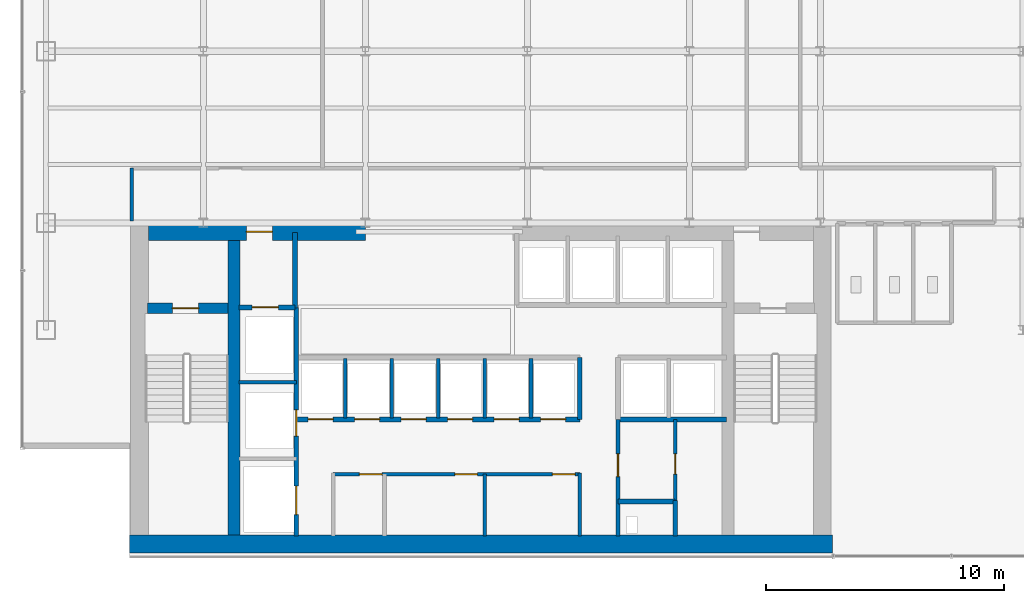
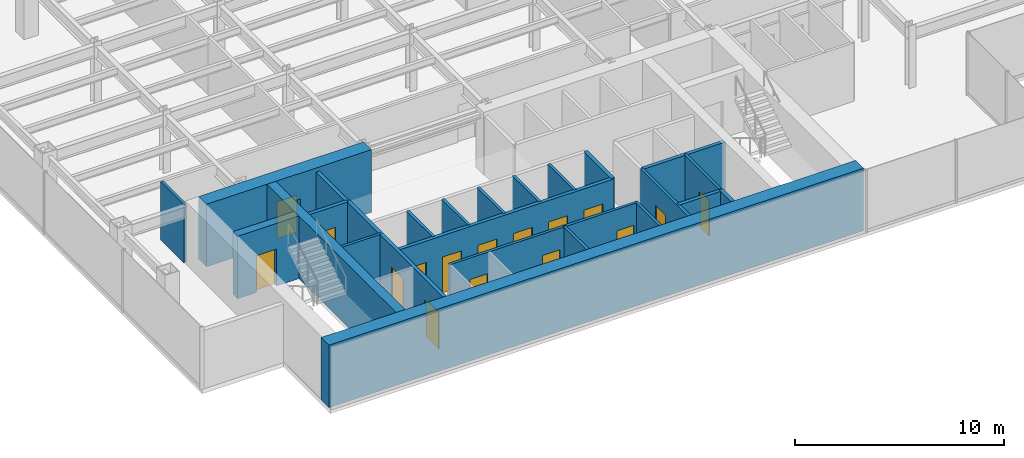
# One storey, part 21 of 26: 24 walls, 16 doors, 16 openings.
"""IFC4 building model written with IfcOpenShell, lengths in metres."""

import ifcopenshell
import ifcopenshell.guid

model = None  # the IFC model being written
_history = None  # IfcOwnerHistory: only IFC2X3 demands one
_inside = {}  # id of a spatial element -> (the spatial element, [elements in it])
_under = {}  # id of a project, library or spatial element -> (it, [spatial elements below it])
_declared = {}  # id of a project -> (the project, [libraries it declares])
_typed = {}  # id of a type object -> (the type object, [elements of that type])
_made_of = {}  # id of a material, layer set ... -> (it, [elements and type objects made of it])


def new_model(schema):
    """Start an empty IFC model of exactly this schema.

    Asked for "IFC4X3", IfcOpenShell would pick the latest addendum, in which some entities
    have other attributes; the version numbers below select the first issue.
    IFC2X3 requires an IfcOwnerHistory on every rooted entity: one is made here for all.
    """
    global model, _history
    if schema == "IFC4X3":
        model = ifcopenshell.file(schema_version=(4, 3, 0, 0))
    else:
        model = ifcopenshell.file(schema=schema)
    _inside.clear()
    _under.clear()
    _declared.clear()
    _typed.clear()
    _made_of.clear()
    _history = None
    if model.schema == "IFC2X3":
        org = make("IfcOrganization", Name="unknown")
        user = make(
            "IfcPersonAndOrganization",
            ThePerson=make("IfcPerson", FamilyName="unknown"),
            TheOrganization=org,
        )
        app = make(
            "IfcApplication",
            ApplicationDeveloper=org,
            Version="unknown",
            ApplicationFullName="unknown",
            ApplicationIdentifier="unknown",
        )
        _history = make(
            "IfcOwnerHistory",
            OwningUser=user,
            OwningApplication=app,
            ChangeAction="ADDED",
            CreationDate=0,
        )
    return model


def make(cls, **values):
    """One entity of the class cls with the attributes given. An attribute that is None is left unset."""
    return model.create_entity(
        cls, **{name: value for name, value in values.items() if value is not None}
    )


def rooted(cls, **values):
    """An entity with a GlobalId (a new one), such as an element, a storey or a relation."""
    return make(cls, GlobalId=ifcopenshell.guid.new(), OwnerHistory=_history, **values)


def si_unit(unit_type, name, prefix=None):
    """IfcSIUnit, for example si_unit("LENGTHUNIT", "METRE", prefix="MILLI")."""
    return make("IfcSIUnit", UnitType=unit_type, Prefix=prefix, Name=name)


def derived_unit(unit_type, elements):
    """IfcDerivedUnit: a product of units, each with its exponent."""
    return make(
        "IfcDerivedUnit",
        Elements=[
            make("IfcDerivedUnitElement", Unit=unit, Exponent=power)
            for unit, power in elements
        ],
        UnitType=unit_type,
    )


def assignment(units):
    """IfcUnitAssignment: the units of a project."""
    return None if units is None else make("IfcUnitAssignment", Units=units)


def point(xyz):
    """IfcCartesianPoint."""
    return None if xyz is None else make("IfcCartesianPoint", Coordinates=xyz)


def direction(xyz):
    """IfcDirection."""
    return None if xyz is None else make("IfcDirection", DirectionRatios=xyz)


def frame(location, z_axis=None, x_axis=None):
    """IfcAxis2Placement3D, a coordinate frame: its origin and axes. An axis left out is left unset."""
    return make(
        "IfcAxis2Placement3D",
        Location=point(location),
        Axis=direction(z_axis),
        RefDirection=direction(x_axis),
    )


def frame_2d(location, x_axis=None):
    """IfcAxis2Placement2D, a coordinate frame in the plane: its origin and x axis."""
    return make(
        "IfcAxis2Placement2D", Location=point(location), RefDirection=direction(x_axis)
    )


def origin():
    """The frame at (0, 0, 0) with its axes left unset."""
    return frame((0.0, 0.0, 0.0))


def place(relative_to, where):
    """IfcLocalPlacement: puts the frame where relative to a parent placement (None: the world)."""
    return make(
        "IfcLocalPlacement", PlacementRelTo=relative_to, RelativePlacement=where
    )


def context(
    kind, dimensions, precision=None, world=None, true_north=None, identifier=None
):
    """IfcGeometricRepresentationContext, for example the 3D "Model" context."""
    return make(
        "IfcGeometricRepresentationContext",
        ContextIdentifier=identifier,
        ContextType=kind,
        CoordinateSpaceDimension=dimensions,
        Precision=precision,
        WorldCoordinateSystem=world,
        TrueNorth=true_north,
    )


def subcontext(parent, identifier, kind, view, scale=None):
    """IfcGeometricRepresentationSubContext, for example "Body" below "Model"."""
    return make(
        "IfcGeometricRepresentationSubContext",
        ContextIdentifier=identifier,
        ContextType=kind,
        ParentContext=parent,
        TargetScale=scale,
        TargetView=view,
    )


def project(units=None, contexts=None):
    """IfcProject with its units and contexts."""
    return rooted(
        "IfcProject",
        Name="project",
        RepresentationContexts=contexts,
        UnitsInContext=assignment(units),
    )


def spatial(cls, under=None, at=None, **own):
    """A site, building, storey or space (cls), placed at a placement, below another one or the project."""
    s = rooted(cls, ObjectPlacement=at, **own)
    if under is not None:
        _under.setdefault(under.id(), (under, []))[1].append(s)
    return s


def profile(cls, at=None, kind="AREA", **sizes):
    """A parametric profile (cls). Its sizes go by their IFC names, for example OverallWidth=200.0."""
    return make(cls, ProfileType=kind, Position=at, **sizes)


def rectangle(**sizes):
    """IfcRectangleProfileDef."""
    return profile("IfcRectangleProfileDef", **sizes)


def extrude(swept, where, along, depth):
    """IfcExtrudedAreaSolid: the profile swept, set in the frame where, extruded along a direction by depth."""
    return make(
        "IfcExtrudedAreaSolid",
        SweptArea=swept,
        Position=where,
        ExtrudedDirection=direction(along),
        Depth=depth,
    )


def shape(context_of_items, identifier, shape_type, items):
    """IfcShapeRepresentation: the items that make up one representation, for example the "Body"."""
    return make(
        "IfcShapeRepresentation",
        ContextOfItems=context_of_items,
        RepresentationIdentifier=identifier,
        RepresentationType=shape_type,
        Items=items,
    )


def source(mapping_origin, context_of_items, identifier, shape_type, items):
    """IfcRepresentationMap: a shape defined once, which mapped items show again and again."""
    return make(
        "IfcRepresentationMap",
        MappingOrigin=mapping_origin,
        MappedRepresentation=shape(context_of_items, identifier, shape_type, items),
    )


def transform(
    local_origin,
    x_axis=None,
    y_axis=None,
    z_axis=None,
    scale=None,
    scale2=None,
    scale3=None,
    uniform=True,
):
    """IfcCartesianTransformationOperator3D, or its non-uniform kind. x_axis, y_axis, z_axis: its Axis1, 2, 3."""
    if uniform:
        return make(
            "IfcCartesianTransformationOperator3D",
            Axis1=direction(x_axis),
            Axis2=direction(y_axis),
            LocalOrigin=point(local_origin),
            Scale=scale,
            Axis3=direction(z_axis),
        )
    return make(
        "IfcCartesianTransformationOperator3DnonUniform",
        Axis1=direction(x_axis),
        Axis2=direction(y_axis),
        LocalOrigin=point(local_origin),
        Scale=scale,
        Axis3=direction(z_axis),
        Scale2=scale2,
        Scale3=scale3,
    )


def mapped(mapping_source, mapping_target):
    """IfcMappedItem: shows the shape of a source again, moved by a transform."""
    return make(
        "IfcMappedItem", MappingSource=mapping_source, MappingTarget=mapping_target
    )


def material(Name=None, Category=None):
    """IfcMaterial."""
    return make("IfcMaterial", Name=Name, Category=Category)


def layer(
    of_material, thickness, ventilated=None, Name=None, Category=None, Priority=None
):
    """IfcMaterialLayer: one layer of a wall or slab, of a material (None: an air gap)."""
    return make(
        "IfcMaterialLayer",
        Material=of_material,
        LayerThickness=thickness,
        IsVentilated=ventilated,
        Name=Name,
        Category=Category,
        Priority=Priority,
    )


def layer_set(layers, Name=None):
    """IfcMaterialLayerSet."""
    return make("IfcMaterialLayerSet", MaterialLayers=layers, LayerSetName=Name)


def made_of(thing, what):
    """Note that an element or type object is made of a material, layer set ...; save() writes the relation."""
    if what is not None:
        _made_of.setdefault(what.id(), (what, []))[1].append(thing)
    return thing


def type_object(cls, material=None, **own):
    """A type object (cls), such as IfcWallType, which elements share."""
    return made_of(rooted(cls, **own), material)


def element(
    cls,
    number,
    at=None,
    inside=None,
    cuts=None,
    type_object=None,
    material=None,
    context=None,
    identifier="Body",
    shape_type=None,
    held_by="IfcProductDefinitionShape",
    body=None,
    shapes=None,
    **own,
):
    """One element of the class cls, such as IfcWall. Its Tag is "e" and its number.

    at: its placement. inside: the storey or other place that contains it. cuts: it is an
    opening in that element (IfcRelVoidsElement). A single representation is given by context,
    identifier, shape_type and body (its items); several are given by shapes. held_by: the class
    of the entity that holds the representations. save() writes the other relations.
    """
    e = rooted(cls, Tag="e%d" % number, ObjectPlacement=at, **own)
    if body is not None:
        shapes = [shape(context, identifier, shape_type, body)]
    if shapes is not None:
        e.Representation = make(held_by, Representations=shapes)
    if inside is not None:
        _inside.setdefault(inside.id(), (inside, []))[1].append(e)
    if cuts is not None:
        rooted(
            "IfcRelVoidsElement", RelatingBuildingElement=cuts, RelatedOpeningElement=e
        )
    if type_object is not None:
        _typed.setdefault(type_object.id(), (type_object, []))[1].append(e)
    return made_of(e, material)


def fill(opening, filler):
    """IfcRelFillsElement: the door or window that sits in an opening."""
    return rooted(
        "IfcRelFillsElement",
        RelatingOpeningElement=opening,
        RelatedBuildingElement=filler,
    )


def aggregate(whole, parts):
    """IfcRelAggregates: a whole, such as a stair, and the parts it consists of."""
    return rooted("IfcRelAggregates", RelatingObject=whole, RelatedObjects=parts)


def save(model, path):
    """Write the relations noted so far, then the file.

    IfcRelAggregates (storeys below a building ...), IfcRelContainedInSpatialStructure (elements
    in a storey), IfcRelDefinesByType, IfcRelAssociatesMaterial and IfcRelDeclares: one each for
    every whole, place, type object, material and project.
    """
    for whole, parts in _under.values():
        aggregate(whole, parts)
    for where, things in _inside.values():
        rooted(
            "IfcRelContainedInSpatialStructure",
            RelatedElements=things,
            RelatingStructure=where,
        )
    for kind, things in _typed.values():
        rooted("IfcRelDefinesByType", RelatedObjects=things, RelatingType=kind)
    for what, things in _made_of.values():
        rooted("IfcRelAssociatesMaterial", RelatedObjects=things, RelatingMaterial=what)
    for by, libraries in _declared.values():
        rooted("IfcRelDeclares", RelatingContext=by, RelatedDefinitions=libraries)
    model.write(path)


model = new_model("IFC4")

# Units and contexts
model_context = context("Model", 3, precision=1e-05, world=origin(), true_north=direction((0.0, 1.0)))
body_context = subcontext(model_context, "Body", "Model", "MODEL_VIEW")
ifc_project = project(units=[si_unit("LENGTHUNIT", "METRE"), si_unit("AREAUNIT", "SQUARE_METRE"), si_unit("VOLUMEUNIT", "CUBIC_METRE"), si_unit("PLANEANGLEUNIT", "RADIAN"), si_unit("MASSUNIT", "GRAM", prefix="KILO"), derived_unit("THERMALTRANSMITTANCEUNIT", [(si_unit("POWERUNIT", "WATT"), 1), (si_unit("LENGTHUNIT", "METRE"), -2), (si_unit("THERMODYNAMICTEMPERATUREUNIT", "KELVIN"), -1)])], contexts=[model_context])

# Site, building, storey
site_placement = place(None, origin())
site = spatial("IfcSite", under=ifc_project, at=site_placement, CompositionType="ELEMENT")
building_placement = place(site_placement, origin())
building = spatial("IfcBuilding", under=site, at=building_placement, Name="Skarnbrae Concourse Arena and Tower", CompositionType="ELEMENT")
storey_placement = place(building_placement, frame((0.0, 0.0, 99.60009765625)))
storey = spatial("IfcBuildingStorey", under=building, at=storey_placement, Name="L24", CompositionType="ELEMENT", Elevation=99.60009765625)

# Wall, opening, door
ifc_material_1 = material(Name="Concrete 50 MPa (C50/60)", Category="concrete")
ifc_layer_1 = layer(ifc_material_1, 0.449951171875)
ifc_layer_set_1 = layer_set([ifc_layer_1], Name="Concrete 50 MPa (C50/60)")
wall_type_1 = type_object("IfcWallType", Name="WALL-CORE-450-C50", PredefinedType="SHEAR", material=ifc_layer_set_1)
shared_shape_1 = source(origin(), body_context, "Body", "SweptSolid", [
    extrude(rectangle(XDim=3.389892578125, YDim=0.449951171875, at=frame_2d((1.69482421875, 0.0))), origin(), (0.0, 0.0, 1.0), 3.64990234375),
])
wall_1_placement = place(storey_placement, frame((5.25, 10.419921875, 0.0), z_axis=(0.0, 0.0, 1.0), x_axis=(1.0, 0.0, 0.0)))
wall_1 = element("IfcWall", 1, at=wall_1_placement, inside=storey, type_object=wall_type_1, Name="L24 Rear core shear wall CW-ST1-N", PredefinedType="SHEAR", context=body_context, shape_type="MappedRepresentation", body=[
    mapped(shared_shape_1, transform((0.0, 0.0, 0.0))),
])
opening_1_placement = place(wall_1_placement, frame((1.050048828125, 0.0, 0.0)))
opening_1 = element("IfcOpeningElement", 2, at=opening_1_placement, cuts=wall_1, Name="Opening DT-03", PredefinedType="OPENING", context=body_context, shape_type="SweptSolid", body=[
    extrude(rectangle(XDim=1.10009765625, YDim=2.14990234375, at=frame_2d((0.550048828125, 1.074951171875))), frame((0.0, 0.23486328125, 0.0), z_axis=(0.0, -1.0, 0.0), x_axis=(1.0, 0.0, 0.0)), (0.0, 0.0, 1.0), 0.469970703125),
])
ifc_material_2 = material(Name="Steel CSA G40.21 350W", Category="steel")
door_type_1 = type_object("IfcDoorType", Name="DOOR-FIRE-1100-90M", OperationType="NOTDEFINED", PredefinedType="DOOR", material=ifc_material_2)
shared_shape_2 = source(origin(), body_context, "Body", "SweptSolid", [
    extrude(rectangle(XDim=1.10009765625, YDim=2.14990234375, at=frame_2d((0.550048828125, 1.074951171875))), frame((0.0, 0.02490234375, 0.0), z_axis=(0.0, -1.0, 0.0), x_axis=(1.0, 0.0, 0.0)), (0.0, 0.0, 1.0), 0.050048828125),
])
door_1_placement = place(opening_1_placement, frame((1.10009765625, 0.0, 0.0), z_axis=(0.0, 0.0, 1.0), x_axis=(-1.0, 0.0, 0.0)))
door_1 = element("IfcDoor", 3, at=door_1_placement, inside=storey, type_object=door_type_1, Name="D-0812 Stair ST-1 Door", OperationType="SINGLE_SWING_LEFT", OverallHeight=2.14990234375, OverallWidth=1.10009765625, PredefinedType="DOOR", context=body_context, shape_type="MappedRepresentation", body=[
    mapped(shared_shape_2, transform((0.0, 0.0, 0.0))),
])
fill(opening_1, door_1)

# Wall
ifc_material_3 = material(Name="Concrete 60 MPa (C60/75)", Category="concrete")
ifc_layer_2 = layer(ifc_material_3, 0.75)
ifc_layer_set_2 = layer_set([ifc_layer_2], Name="Concrete 60 MPa (C60/75)")
wall_type_2 = type_object("IfcWallType", Name="WALL-CORE-750-C60", PredefinedType="SHEAR", material=ifc_layer_set_2)
shared_shape_3 = source(origin(), body_context, "Body", "SweptSolid", [
    extrude(rectangle(XDim=29.5, YDim=0.75, at=frame_2d((14.75, 0.0))), origin(), (0.0, 0.0, 1.0), 3.64990234375),
])
wall_2_placement = place(storey_placement, frame((4.5, 0.52490234375, 0.0), z_axis=(0.0, 0.0, 1.0), x_axis=(1.0, 0.0, 0.0)))
element("IfcWall", 4, at=wall_2_placement, inside=storey, type_object=wall_type_2, Name="L24 Rear core shear wall CW-S", PredefinedType="SHEAR", context=body_context, shape_type="MappedRepresentation", body=[
    mapped(shared_shape_3, transform((0.0, 0.0, 0.0))),
])

# Wall, opening, door
shared_shape_4 = source(origin(), body_context, "Body", "SweptSolid", [
    extrude(rectangle(XDim=9.099853515625, YDim=0.75, at=frame_2d((4.5498046875, 0.0))), origin(), (0.0, 0.0, 1.0), 3.64990234375),
])
wall_3_placement = place(storey_placement, frame((5.300048828125, 13.625, 0.0), z_axis=(0.0, 0.0, 1.0), x_axis=(1.0, 0.0, 0.0)))
wall_3 = element("IfcWall", 5, at=wall_3_placement, inside=storey, type_object=wall_type_2, Name="L24 Rear core shear wall CW-NW", PredefinedType="SHEAR", context=body_context, shape_type="MappedRepresentation", body=[
    mapped(shared_shape_4, transform((0.0, 0.0, 0.0))),
])
opening_2_placement = place(wall_3_placement, frame((4.10009765625, 0.0, 0.0)))
opening_2 = element("IfcOpeningElement", 6, at=opening_2_placement, cuts=wall_3, Name="Opening DT-03", PredefinedType="OPENING", context=body_context, shape_type="SweptSolid", body=[
    extrude(rectangle(XDim=1.10009765625, YDim=2.14990234375, at=frame_2d((0.550048828125, 1.074951171875))), frame((0.0, 0.385009765625, 0.0), z_axis=(0.0, -1.0, 0.0), x_axis=(1.0, 0.0, 0.0)), (0.0, 0.0, 1.0), 0.77001953125),
])
door_2_placement = place(opening_2_placement, origin())
door_2 = element("IfcDoor", 7, at=door_2_placement, inside=storey, type_object=door_type_1, Name="D-0814 Firefighting Lobby Exit Door", OperationType="SINGLE_SWING_RIGHT", OverallHeight=2.14990234375, OverallWidth=1.10009765625, PredefinedType="DOOR", context=body_context, shape_type="MappedRepresentation", body=[
    mapped(shared_shape_2, transform((0.0, 0.0, 0.0))),
])
fill(opening_2, door_2)

# Walls
ifc_layer_3 = layer(ifc_material_3, 0.5)
ifc_layer_set_3 = layer_set([ifc_layer_3], Name="Concrete 60 MPa (C60/75)")
wall_type_3 = type_object("IfcWallType", Name="WALL-CORE-500-C60", PredefinedType="SHEAR", material=ifc_layer_set_3)
shared_shape_5 = source(origin(), body_context, "Body", "SweptSolid", [
    extrude(rectangle(XDim=12.35009765625, YDim=0.5, at=frame_2d((6.175048828125, 0.0))), origin(), (0.0, 0.0, 1.0), 3.64990234375),
])
wall_4_placement = place(storey_placement, frame((8.889892578125, 0.89990234375, 0.0), z_axis=(0.0, 0.0, 1.0), x_axis=(0.0, 1.0, 0.0)))
element("IfcWall", 8, at=wall_4_placement, inside=storey, type_object=wall_type_3, Name="L24 Rear core shear wall CW-WEB-W", PredefinedType="SHEAR", context=body_context, shape_type="MappedRepresentation", body=[
    mapped(shared_shape_5, transform((0.0, 0.0, 0.0))),
])
ifc_material_4 = material(Name="Gypsum board on cold-formed steel studs", Category="steel")
ifc_layer_4 = layer(ifc_material_4, 0.199951171875)
ifc_layer_set_4 = layer_set([ifc_layer_4], Name="Gypsum board on cold-formed steel studs")
wall_type_4 = type_object("IfcWallType", Name="WALL-PART-200-2HR", PredefinedType="PARTITIONING", material=ifc_layer_set_4)
shared_shape_6 = source(origin(), body_context, "Body", "SweptSolid", [
    extrude(rectangle(XDim=3.18017578125, YDim=0.199951171875, at=frame_2d((1.590087890625, 0.0))), origin(), (0.0, 0.0, 1.0), 3.39990234375),
])
wall_5_placement = place(storey_placement, frame((11.449951171875, 10.419921875, 0.0), z_axis=(0.0, 0.0, 1.0), x_axis=(0.0, 1.0, 0.0)))
element("IfcWall", 9, at=wall_5_placement, inside=storey, type_object=wall_type_4, Name="L24 Interior partition wall W-L24-FFL-E", PredefinedType="PARTITIONING", context=body_context, shape_type="MappedRepresentation", body=[
    mapped(shared_shape_6, transform((0.0, 0.0, 0.0))),
])

# Wall, opening, door
shared_shape_7 = source(origin(), body_context, "Body", "SweptSolid", [
    extrude(rectangle(XDim=2.349853515625, YDim=0.199951171875, at=frame_2d((1.1748046875, 0.0))), origin(), (0.0, 0.0, 1.0), 3.39990234375),
])
wall_6_placement = place(storey_placement, frame((9.10009765625, 10.449951171875, 0.0), z_axis=(0.0, 0.0, 1.0), x_axis=(1.0, 0.0, 0.0)))
wall_6 = element("IfcWall", 10, at=wall_6_placement, inside=storey, type_object=wall_type_4, Name="L24 Interior partition wall W-L24-FL1-N", PredefinedType="PARTITIONING", context=body_context, shape_type="MappedRepresentation", body=[
    mapped(shared_shape_7, transform((0.0, 0.0, 0.0))),
])
opening_3_placement = place(wall_6_placement, frame((0.550048828125, 0.0, 0.0)))
opening_3 = element("IfcOpeningElement", 11, at=opening_3_placement, cuts=wall_6, Name="Opening LD-01", PredefinedType="OPENING", context=body_context, shape_type="SweptSolid", body=[
    extrude(rectangle(XDim=1.10009765625, YDim=2.14990234375, at=frame_2d((0.550048828125, 1.074951171875))), frame((0.0, 0.10986328125, 0.0), z_axis=(0.0, -1.0, 0.0), x_axis=(1.0, 0.0, 0.0)), (0.0, 0.0, 1.0), 0.219970703125),
])
door_type_2 = type_object("IfcDoorType", Name="DOOR-LIFT-SLIDE-1100", OperationType="SLIDING_TO_LEFT", PredefinedType="DOOR", material=ifc_material_2)
door_3_placement = place(opening_3_placement, origin())
door_3 = element("IfcDoor", 12, at=door_3_placement, inside=storey, type_object=door_type_2, Name="D-0816 Firefighting Lift Landing Door FL-01", OperationType="SLIDING_TO_LEFT", OverallHeight=2.14990234375, OverallWidth=1.10009765625, PredefinedType="DOOR", context=body_context, shape_type="MappedRepresentation", body=[
    mapped(shared_shape_2, transform((0.0, 0.0, 0.0))),
])
fill(opening_3, door_3)

# Wall, openings, doors
shared_shape_8 = source(origin(), body_context, "Body", "SweptSolid", [
    extrude(rectangle(XDim=9.599853515625, YDim=0.199951171875, at=frame_2d((4.7998046875, 0.0))), origin(), (0.0, 0.0, 1.0), 3.39990234375),
])
wall_7_placement = place(storey_placement, frame((11.5, 0.85009765625, 0.0), z_axis=(0.0, 0.0, 1.0), x_axis=(0.0, 1.0, 0.0)))
wall_7 = element("IfcWall", 13, at=wall_7_placement, inside=storey, type_object=wall_type_4, Name="L24 Interior partition wall W-L24-FL-E", PredefinedType="PARTITIONING", context=body_context, shape_type="MappedRepresentation", body=[
    mapped(shared_shape_8, transform((0.0, 0.0, 0.0))),
])
opening_4_placement = place(wall_7_placement, frame((4.199951171875, 0.0, 0.0)))
opening_4 = element("IfcOpeningElement", 14, at=opening_4_placement, cuts=wall_7, Name="Opening LD-01", PredefinedType="OPENING", context=body_context, shape_type="SweptSolid", body=[
    extrude(rectangle(XDim=1.10009765625, YDim=2.14990234375, at=frame_2d((0.550048828125, 1.074951171875))), frame((0.0, 0.10986328125, 0.0), z_axis=(0.0, -1.0, 0.0), x_axis=(1.0, 0.0, 0.0)), (0.0, 0.0, 1.0), 0.219970703125),
])
opening_5_placement = place(wall_7_placement, frame((0.89990234375, 0.0, 0.0)))
opening_5 = element("IfcOpeningElement", 15, at=opening_5_placement, cuts=wall_7, Name="Opening LD-02", PredefinedType="OPENING", context=body_context, shape_type="SweptSolid", body=[
    extrude(rectangle(XDim=1.199951171875, YDim=2.14990234375, at=frame_2d((0.60009765625, 1.074951171875))), frame((0.0, 0.10986328125, 0.0), z_axis=(0.0, -1.0, 0.0), x_axis=(1.0, 0.0, 0.0)), (0.0, 0.0, 1.0), 0.219970703125),
])
door_4_placement = place(opening_4_placement, frame((1.10009765625, 0.0, 0.0), z_axis=(0.0, 0.0, 1.0), x_axis=(-1.0, 0.0, 0.0)))
door_4 = element("IfcDoor", 16, at=door_4_placement, inside=storey, type_object=door_type_2, Name="D-0817 Firefighting Lift Landing Door FL-02", OperationType="SLIDING_TO_LEFT", OverallHeight=2.14990234375, OverallWidth=1.10009765625, PredefinedType="DOOR", context=body_context, shape_type="MappedRepresentation", body=[
    mapped(shared_shape_2, transform((0.0, 0.0, 0.0))),
])
fill(opening_4, door_4)
door_type_3 = type_object("IfcDoorType", Name="DOOR-LIFT-SLIDE-1200", OperationType="SLIDING_TO_LEFT", PredefinedType="DOOR", material=ifc_material_2)
shared_shape_9 = source(origin(), body_context, "Body", "SweptSolid", [
    extrude(rectangle(XDim=1.199951171875, YDim=2.14990234375, at=frame_2d((0.60009765625, 1.074951171875))), frame((0.0, 0.02490234375, 0.0), z_axis=(0.0, -1.0, 0.0), x_axis=(1.0, 0.0, 0.0)), (0.0, 0.0, 1.0), 0.050048828125),
])
door_5_placement = place(opening_5_placement, frame((1.199951171875, 0.0, 0.0), z_axis=(0.0, 0.0, 1.0), x_axis=(-1.0, 0.0, 0.0)))
door_5 = element("IfcDoor", 17, at=door_5_placement, inside=storey, type_object=door_type_3, Name="D-0818 Service Lift Landing Door SV-01", OperationType="SLIDING_TO_LEFT", OverallHeight=2.14990234375, OverallWidth=1.199951171875, PredefinedType="DOOR", context=body_context, shape_type="MappedRepresentation", body=[
    mapped(shared_shape_9, transform((0.0, 0.0, 0.0))),
])
fill(opening_5, door_5)

# Walls
ifc_layer_5 = layer(ifc_material_4, 0.14990234375)
ifc_layer_set_5 = layer_set([ifc_layer_5], Name="Gypsum board on cold-formed steel studs")
wall_type_5 = type_object("IfcWallType", Name="WALL-PART-150", PredefinedType="PARTITIONING", material=ifc_layer_set_5)
shared_shape_10 = source(origin(), body_context, "Body", "SweptSolid", [
    extrude(rectangle(XDim=2.39990234375, YDim=0.14990234375, at=frame_2d((1.199951171875, 0.0))), origin(), (0.0, 0.0, 1.0), 3.39990234375),
])
wall_8_placement = place(storey_placement, frame((9.10009765625, 7.300048828125, 0.0), z_axis=(0.0, 0.0, 1.0), x_axis=(1.0, 0.0, 0.0)))
element("IfcWall", 18, at=wall_8_placement, inside=storey, type_object=wall_type_5, Name="L24 Interior partition wall W-L24-FL-D2", PredefinedType="PARTITIONING", context=body_context, shape_type="MappedRepresentation", body=[
    mapped(shared_shape_10, transform((0.0, 0.0, 0.0))),
])
shared_shape_11 = source(origin(), body_context, "Body", "SweptSolid", [
    extrude(rectangle(XDim=2.599853515625, YDim=0.14990234375, at=frame_2d((1.2998046875, 0.0))), origin(), (0.0, 0.0, 1.0), 3.39990234375),
])
wall_9_placement = place(storey_placement, frame((19.39990234375, 0.85009765625, 0.0), z_axis=(0.0, 0.0, 1.0), x_axis=(0.0, 1.0, 0.0)))
element("IfcWall", 19, at=wall_9_placement, inside=storey, type_object=wall_type_5, Name="L24 Interior partition wall W-L24-B1M-C2", PredefinedType="PARTITIONING", context=body_context, shape_type="MappedRepresentation", body=[
    mapped(shared_shape_11, transform((0.0, 0.0, 0.0))),
])

# Wall, openings, doors
shared_shape_12 = source(origin(), body_context, "Body", "SweptSolid", [
    extrude(rectangle(XDim=11.849853515625, YDim=0.199951171875, at=frame_2d((5.9248046875, 0.0))), origin(), (0.0, 0.0, 1.0), 3.39990234375),
])
wall_10_placement = place(storey_placement, frame((11.550048828125, 5.75, 0.0), z_axis=(0.0, 0.0, 1.0), x_axis=(1.0, 0.0, 0.0)))
wall_10 = element("IfcWall", 20, at=wall_10_placement, inside=storey, type_object=wall_type_4, Name="L24 Interior partition wall W-L24-B2-S", PredefinedType="PARTITIONING", context=body_context, shape_type="MappedRepresentation", body=[
    mapped(shared_shape_12, transform((0.0, 0.0, 0.0))),
])
opening_6_placement = place(wall_10_placement, frame((0.449951171875, 0.0, 0.0)))
opening_6 = element("IfcOpeningElement", 21, at=opening_6_placement, cuts=wall_10, Name="Opening LD-03", PredefinedType="OPENING", context=body_context, shape_type="SweptSolid", body=[
    extrude(rectangle(XDim=1.050048828125, YDim=2.14990234375, at=frame_2d((0.52490234375, 1.074951171875))), frame((0.0, 0.10986328125, 0.0), z_axis=(0.0, -1.0, 0.0), x_axis=(1.0, 0.0, 0.0)), (0.0, 0.0, 1.0), 0.219970703125),
])
opening_7_placement = place(wall_10_placement, frame((2.39990234375, 0.0, 0.0)))
opening_7 = element("IfcOpeningElement", 22, at=opening_7_placement, cuts=wall_10, Name="Opening LD-03", PredefinedType="OPENING", context=body_context, shape_type="SweptSolid", body=[
    extrude(rectangle(XDim=1.050048828125, YDim=2.14990234375, at=frame_2d((0.52490234375, 1.074951171875))), frame((0.0, 0.10986328125, 0.0), z_axis=(0.0, -1.0, 0.0), x_axis=(1.0, 0.0, 0.0)), (0.0, 0.0, 1.0), 0.219970703125),
])
opening_8_placement = place(wall_10_placement, frame((4.35009765625, 0.0, 0.0)))
opening_8 = element("IfcOpeningElement", 23, at=opening_8_placement, cuts=wall_10, Name="Opening LD-03", PredefinedType="OPENING", context=body_context, shape_type="SweptSolid", body=[
    extrude(rectangle(XDim=1.050048828125, YDim=2.14990234375, at=frame_2d((0.52490234375, 1.074951171875))), frame((0.0, 0.10986328125, 0.0), z_axis=(0.0, -1.0, 0.0), x_axis=(1.0, 0.0, 0.0)), (0.0, 0.0, 1.0), 0.219970703125),
])
opening_9_placement = place(wall_10_placement, frame((6.300048828125, 0.0, 0.0)))
opening_9 = element("IfcOpeningElement", 24, at=opening_9_placement, cuts=wall_10, Name="Opening LD-03", PredefinedType="OPENING", context=body_context, shape_type="SweptSolid", body=[
    extrude(rectangle(XDim=1.050048828125, YDim=2.14990234375, at=frame_2d((0.52490234375, 1.074951171875))), frame((0.0, 0.10986328125, 0.0), z_axis=(0.0, -1.0, 0.0), x_axis=(1.0, 0.0, 0.0)), (0.0, 0.0, 1.0), 0.219970703125),
])
opening_10_placement = place(wall_10_placement, frame((8.25, 0.0, 0.0)))
opening_10 = element("IfcOpeningElement", 25, at=opening_10_placement, cuts=wall_10, Name="Opening LD-03", PredefinedType="OPENING", context=body_context, shape_type="SweptSolid", body=[
    extrude(rectangle(XDim=1.050048828125, YDim=2.14990234375, at=frame_2d((0.52490234375, 1.074951171875))), frame((0.0, 0.10986328125, 0.0), z_axis=(0.0, -1.0, 0.0), x_axis=(1.0, 0.0, 0.0)), (0.0, 0.0, 1.0), 0.219970703125),
])
opening_11_placement = place(wall_10_placement, frame((10.199951171875, 0.0, 0.0)))
opening_11 = element("IfcOpeningElement", 26, at=opening_11_placement, cuts=wall_10, Name="Opening LD-03", PredefinedType="OPENING", context=body_context, shape_type="SweptSolid", body=[
    extrude(rectangle(XDim=1.050048828125, YDim=2.14990234375, at=frame_2d((0.52490234375, 1.074951171875))), frame((0.0, 0.10986328125, 0.0), z_axis=(0.0, -1.0, 0.0), x_axis=(1.0, 0.0, 0.0)), (0.0, 0.0, 1.0), 0.219970703125),
])
ifc_material_5 = material(Name="Bronze anodised aluminium 6063-T6", Category="aluminium")
door_type_4 = type_object("IfcDoorType", Name="DOOR-LIFT-SLIDE-1050", OperationType="SLIDING_TO_LEFT", PredefinedType="DOOR", material=ifc_material_5)
shared_shape_13 = source(origin(), body_context, "Body", "SweptSolid", [
    extrude(rectangle(XDim=1.050048828125, YDim=2.14990234375, at=frame_2d((0.52490234375, 1.074951171875))), frame((0.0, 0.02490234375, 0.0), z_axis=(0.0, -1.0, 0.0), x_axis=(1.0, 0.0, 0.0)), (0.0, 0.0, 1.0), 0.050048828125),
])
door_6_placement = place(opening_6_placement, frame((1.050048828125, 0.0, 0.0), z_axis=(0.0, 0.0, 1.0), x_axis=(-1.0, 0.0, 0.0)))
door_6 = element("IfcDoor", 27, at=door_6_placement, inside=storey, type_object=door_type_4, Name="D-0822 Passenger Lift Landing Door PL-2A", OperationType="SLIDING_TO_LEFT", OverallHeight=2.14990234375, OverallWidth=1.050048828125, PredefinedType="DOOR", context=body_context, shape_type="MappedRepresentation", body=[
    mapped(shared_shape_13, transform((0.0, 0.0, 0.0))),
])
fill(opening_6, door_6)
door_7_placement = place(opening_7_placement, frame((1.050048828125, 0.0, 0.0), z_axis=(0.0, 0.0, 1.0), x_axis=(-1.0, 0.0, 0.0)))
door_7 = element("IfcDoor", 28, at=door_7_placement, inside=storey, type_object=door_type_4, Name="D-0823 Passenger Lift Landing Door PL-2B", OperationType="SLIDING_TO_LEFT", OverallHeight=2.14990234375, OverallWidth=1.050048828125, PredefinedType="DOOR", context=body_context, shape_type="MappedRepresentation", body=[
    mapped(shared_shape_13, transform((0.0, 0.0, 0.0))),
])
fill(opening_7, door_7)
door_8_placement = place(opening_8_placement, frame((1.050048828125, 0.0, 0.0), z_axis=(0.0, 0.0, 1.0), x_axis=(-1.0, 0.0, 0.0)))
door_8 = element("IfcDoor", 29, at=door_8_placement, inside=storey, type_object=door_type_4, Name="D-0824 Passenger Lift Landing Door PL-2C", OperationType="SLIDING_TO_LEFT", OverallHeight=2.14990234375, OverallWidth=1.050048828125, PredefinedType="DOOR", context=body_context, shape_type="MappedRepresentation", body=[
    mapped(shared_shape_13, transform((0.0, 0.0, 0.0))),
])
fill(opening_8, door_8)
door_9_placement = place(opening_9_placement, frame((1.050048828125, 0.0, 0.0), z_axis=(0.0, 0.0, 1.0), x_axis=(-1.0, 0.0, 0.0)))
door_9 = element("IfcDoor", 30, at=door_9_placement, inside=storey, type_object=door_type_4, Name="D-0825 Passenger Lift Landing Door PL-2D", OperationType="SLIDING_TO_LEFT", OverallHeight=2.14990234375, OverallWidth=1.050048828125, PredefinedType="DOOR", context=body_context, shape_type="MappedRepresentation", body=[
    mapped(shared_shape_13, transform((0.0, 0.0, 0.0))),
])
fill(opening_9, door_9)
door_10_placement = place(opening_10_placement, frame((1.050048828125, 0.0, 0.0), z_axis=(0.0, 0.0, 1.0), x_axis=(-1.0, 0.0, 0.0)))
door_10 = element("IfcDoor", 31, at=door_10_placement, inside=storey, type_object=door_type_4, Name="D-0826 Passenger Lift Landing Door PL-2E", OperationType="SLIDING_TO_LEFT", OverallHeight=2.14990234375, OverallWidth=1.050048828125, PredefinedType="DOOR", context=body_context, shape_type="MappedRepresentation", body=[
    mapped(shared_shape_13, transform((0.0, 0.0, 0.0))),
])
fill(opening_10, door_10)
door_11_placement = place(opening_11_placement, frame((1.050048828125, 0.0, 0.0), z_axis=(0.0, 0.0, 1.0), x_axis=(-1.0, 0.0, 0.0)))
door_11 = element("IfcDoor", 32, at=door_11_placement, inside=storey, type_object=door_type_4, Name="D-0827 Passenger Lift Landing Door PL-2F", OperationType="SLIDING_TO_LEFT", OverallHeight=2.14990234375, OverallWidth=1.050048828125, PredefinedType="DOOR", context=body_context, shape_type="MappedRepresentation", body=[
    mapped(shared_shape_13, transform((0.0, 0.0, 0.0))),
])
fill(opening_11, door_11)

# Walls
shared_shape_14 = source(origin(), body_context, "Body", "SweptSolid", [
    extrude(rectangle(XDim=2.60009765625, YDim=0.199951171875, at=frame_2d((1.300048828125, 0.0))), origin(), (0.0, 0.0, 1.0), 3.39990234375),
])
wall_11_placement = place(storey_placement, frame((23.39990234375, 5.75, 0.0), z_axis=(0.0, 0.0, 1.0), x_axis=(0.0, 1.0, 0.0)))
element("IfcWall", 33, at=wall_11_placement, inside=storey, type_object=wall_type_4, Name="L24 Interior partition wall W-L24-B2-E", PredefinedType="PARTITIONING", context=body_context, shape_type="MappedRepresentation", body=[
    mapped(shared_shape_14, transform((0.0, 0.0, 0.0))),
])
shared_shape_15 = source(origin(), body_context, "Body", "SweptSolid", [
    extrude(rectangle(XDim=2.5, YDim=0.14990234375, at=frame_2d((1.25, 0.0))), origin(), (0.0, 0.0, 1.0), 3.39990234375),
])
for number, where, z_axis, x_axis, name in (
    (34, (13.550048828125, 5.800048828125, 0.0), (0.0, 0.0, 1.0), (0.0, 1.0, 0.0), "L24 Interior partition wall W-L24-B2-P1"),
    (35, (15.5, 5.800048828125, 0.0), (0.0, 0.0, 1.0), (0.0, 1.0, 0.0), "L24 Interior partition wall W-L24-B2-P2"),
    (36, (17.449951171875, 5.800048828125, 0.0), (0.0, 0.0, 1.0), (0.0, 1.0, 0.0), "L24 Interior partition wall W-L24-B2-P3"),
    (37, (19.39990234375, 5.800048828125, 0.0), (0.0, 0.0, 1.0), (0.0, 1.0, 0.0), "L24 Interior partition wall W-L24-B2-P4"),
    (38, (21.35009765625, 5.800048828125, 0.0), (0.0, 0.0, 1.0), (0.0, 1.0, 0.0), "L24 Interior partition wall W-L24-B2-P5"),
):
    element("IfcWall", number, at=place(storey_placement, frame(where, z_axis=z_axis, x_axis=x_axis)), inside=storey, type_object=wall_type_5, Name=name, PredefinedType="PARTITIONING", context=body_context, shape_type="MappedRepresentation", body=[
        mapped(shared_shape_15, transform((0.0, 0.0, 0.0))),
    ])
shared_shape_16 = source(origin(), body_context, "Body", "SweptSolid", [
    extrude(rectangle(XDim=4.550048828125, YDim=0.199951171875, at=frame_2d((2.27490234375, 0.0))), origin(), (0.0, 0.0, 1.0), 3.39990234375),
])
wall_12_placement = place(storey_placement, frame((25.0, 5.75, 0.0), z_axis=(0.0, 0.0, 1.0), x_axis=(1.0, 0.0, 0.0)))
element("IfcWall", 39, at=wall_12_placement, inside=storey, type_object=wall_type_4, Name="L24 Interior partition wall W-L24-B3S-S", PredefinedType="PARTITIONING", context=body_context, shape_type="MappedRepresentation", body=[
    mapped(shared_shape_16, transform((0.0, 0.0, 0.0))),
])

# Wall, opening, door
ifc_layer_6 = layer(ifc_material_4, 0.14990234375)
ifc_layer_set_6 = layer_set([ifc_layer_6], Name="Gypsum board on cold-formed steel studs")
wall_type_6 = type_object("IfcWallType", Name="WALL-PART-150-1HR", PredefinedType="PARTITIONING", material=ifc_layer_set_6)
shared_shape_17 = source(origin(), body_context, "Body", "SweptSolid", [
    extrude(rectangle(XDim=4.89990234375, YDim=0.14990234375, at=frame_2d((2.449951171875, 0.0))), origin(), (0.0, 0.0, 1.0), 3.39990234375),
])
wall_13_placement = place(storey_placement, frame((25.0, 0.85009765625, 0.0), z_axis=(0.0, 0.0, 1.0), x_axis=(0.0, 1.0, 0.0)))
wall_13 = element("IfcWall", 40, at=wall_13_placement, inside=storey, type_object=wall_type_6, Name="L24 Interior partition wall W-L24-CSV-W", PredefinedType="PARTITIONING", context=body_context, shape_type="MappedRepresentation", body=[
    mapped(shared_shape_17, transform((0.0, 0.0, 0.0))),
])
opening_12_placement = place(wall_13_placement, frame((2.5, 0.0, 0.0)))
opening_12 = element("IfcOpeningElement", 41, at=opening_12_placement, cuts=wall_13, Name="Opening DT-04", PredefinedType="OPENING", context=body_context, shape_type="SweptSolid", body=[
    extrude(rectangle(XDim=0.949951171875, YDim=2.14990234375, at=frame_2d((0.47509765625, 1.074951171875))), frame((0.0, 0.0849609375, 0.0), z_axis=(0.0, -1.0, 0.0), x_axis=(1.0, 0.0, 0.0)), (0.0, 0.0, 1.0), 0.169921875),
])
door_type_5 = type_object("IfcDoorType", Name="DOOR-INT-950-45M", OperationType="NOTDEFINED", PredefinedType="DOOR", material=ifc_material_2)
shared_shape_18 = source(origin(), body_context, "Body", "SweptSolid", [
    extrude(rectangle(XDim=0.949951171875, YDim=2.14990234375, at=frame_2d((0.47509765625, 1.074951171875))), frame((0.0, 0.02490234375, 0.0), z_axis=(0.0, -1.0, 0.0), x_axis=(1.0, 0.0, 0.0)), (0.0, 0.0, 1.0), 0.050048828125),
])
door_12_placement = place(opening_12_placement, origin())
door_12 = element("IfcDoor", 42, at=door_12_placement, inside=storey, type_object=door_type_5, Name="D-0828 Core Pantry Door", OperationType="SINGLE_SWING_RIGHT", OverallHeight=2.14990234375, OverallWidth=0.949951171875, PredefinedType="DOOR", context=body_context, shape_type="MappedRepresentation", body=[
    mapped(shared_shape_18, transform((0.0, 0.0, 0.0))),
])
fill(opening_12, door_12)

# Walls
shared_shape_19 = source(origin(), body_context, "Body", "SweptSolid", [
    extrude(rectangle(XDim=2.39990234375, YDim=0.199951171875, at=frame_2d((1.199951171875, 0.0))), origin(), (0.0, 0.0, 1.0), 3.39990234375),
])
wall_14_placement = place(storey_placement, frame((25.0, 2.300048828125, 0.0), z_axis=(0.0, 0.0, 1.0), x_axis=(1.0, 0.0, 0.0)))
element("IfcWall", 43, at=wall_14_placement, inside=storey, type_object=wall_type_4, Name="L24 Interior partition wall W-L24-MEP-N", PredefinedType="PARTITIONING", context=body_context, shape_type="MappedRepresentation", body=[
    mapped(shared_shape_19, transform((0.0, 0.0, 0.0))),
])
shared_shape_20 = source(origin(), body_context, "Body", "SweptSolid", [
    extrude(rectangle(XDim=1.5, YDim=0.199951171875, at=frame_2d((0.75, 0.0))), origin(), (0.0, 0.0, 1.0), 3.39990234375),
])
wall_15_placement = place(storey_placement, frame((27.39990234375, 0.85009765625, 0.0), z_axis=(0.0, 0.0, 1.0), x_axis=(0.0, 1.0, 0.0)))
element("IfcWall", 44, at=wall_15_placement, inside=storey, type_object=wall_type_4, Name="L24 Interior partition wall W-L24-MEP-E", PredefinedType="PARTITIONING", context=body_context, shape_type="MappedRepresentation", body=[
    mapped(shared_shape_20, transform((0.0, 0.0, 0.0))),
])

# Wall, opening, door
shared_shape_21 = source(origin(), body_context, "Body", "SweptSolid", [
    extrude(rectangle(XDim=3.39990234375, YDim=0.14990234375, at=frame_2d((1.699951171875, 0.0))), origin(), (0.0, 0.0, 1.0), 3.39990234375),
])
wall_16_placement = place(storey_placement, frame((27.39990234375, 2.35009765625, 0.0), z_axis=(0.0, 0.0, 1.0), x_axis=(0.0, 1.0, 0.0)))
wall_16 = element("IfcWall", 45, at=wall_16_placement, inside=storey, type_object=wall_type_5, Name="L24 Interior partition wall W-L24-CSV-V", PredefinedType="PARTITIONING", context=body_context, shape_type="MappedRepresentation", body=[
    mapped(shared_shape_21, transform((0.0, 0.0, 0.0))),
])
opening_13_placement = place(wall_16_placement, frame((1.10009765625, 0.0, 0.0)))
opening_13 = element("IfcOpeningElement", 46, at=opening_13_placement, cuts=wall_16, Name="Opening DT-06", PredefinedType="OPENING", context=body_context, shape_type="SweptSolid", body=[
    extrude(rectangle(XDim=0.85009765625, YDim=2.10009765625, at=frame_2d((0.425048828125, 1.050048828125))), frame((0.0, 0.0849609375, 0.0), z_axis=(0.0, -1.0, 0.0), x_axis=(1.0, 0.0, 0.0)), (0.0, 0.0, 1.0), 0.169921875),
])
ifc_material_6 = material(Name="Architectural oak veneer timber leaf", Category="wood")
door_type_6 = type_object("IfcDoorType", Name="DOOR-INT-850", OperationType="NOTDEFINED", PredefinedType="DOOR", material=ifc_material_6)
shared_shape_22 = source(origin(), body_context, "Body", "SweptSolid", [
    extrude(rectangle(XDim=0.85009765625, YDim=2.10009765625, at=frame_2d((0.425048828125, 1.050048828125))), frame((0.0, 0.02490234375, 0.0), z_axis=(0.0, -1.0, 0.0), x_axis=(1.0, 0.0, 0.0)), (0.0, 0.0, 1.0), 0.050048828125),
])
door_13_placement = place(opening_13_placement, frame((0.85009765625, 0.0, 0.0), z_axis=(0.0, 0.0, 1.0), x_axis=(-1.0, 0.0, 0.0)))
door_13 = element("IfcDoor", 47, at=door_13_placement, inside=storey, type_object=door_type_6, Name="D-0829 Supply Cupboard Door", OperationType="SINGLE_SWING_LEFT", OverallHeight=2.10009765625, OverallWidth=0.85009765625, PredefinedType="DOOR", context=body_context, shape_type="MappedRepresentation", body=[
    mapped(shared_shape_22, transform((0.0, 0.0, 0.0))),
])
fill(opening_13, door_13)

# Wall
shared_shape_23 = source(origin(), body_context, "Body", "SweptSolid", [
    extrude(rectangle(XDim=2.64990234375, YDim=0.14990234375, at=frame_2d((1.324951171875, 0.0))), origin(), (0.0, 0.0, 1.0), 3.39990234375),
])
wall_17_placement = place(storey_placement, frame((23.39990234375, 0.85009765625, 0.0), z_axis=(0.0, 0.0, 1.0), x_axis=(0.0, 1.0, 0.0)))
element("IfcWall", 48, at=wall_17_placement, inside=storey, type_object=wall_type_6, Name="L24 Interior partition wall W-L24-B1M-E", PredefinedType="PARTITIONING", context=body_context, shape_type="MappedRepresentation", body=[
    mapped(shared_shape_23, transform((0.0, 0.0, 0.0))),
])

# Wall, openings, doors
shared_shape_24 = source(origin(), body_context, "Body", "SweptSolid", [
    extrude(rectangle(XDim=10.349853515625, YDim=0.14990234375, at=frame_2d((5.1748046875, 0.0))), origin(), (0.0, 0.0, 1.0), 3.39990234375),
])
wall_18_placement = place(storey_placement, frame((13.050048828125, 3.449951171875, 0.0), z_axis=(0.0, 0.0, 1.0), x_axis=(1.0, 0.0, 0.0)))
wall_18 = element("IfcWall", 49, at=wall_18_placement, inside=storey, type_object=wall_type_6, Name="L24 Interior partition wall W-L24-B1M-N", PredefinedType="PARTITIONING", context=body_context, shape_type="MappedRepresentation", body=[
    mapped(shared_shape_24, transform((0.0, 0.0, 0.0))),
])
opening_14_placement = place(wall_18_placement, frame((1.10009765625, 0.0, 0.0)))
opening_14 = element("IfcOpeningElement", 50, at=opening_14_placement, cuts=wall_18, Name="Opening DT-04", PredefinedType="OPENING", context=body_context, shape_type="SweptSolid", body=[
    extrude(rectangle(XDim=0.949951171875, YDim=2.14990234375, at=frame_2d((0.47509765625, 1.074951171875))), frame((0.0, 0.0849609375, 0.0), z_axis=(0.0, -1.0, 0.0), x_axis=(1.0, 0.0, 0.0)), (0.0, 0.0, 1.0), 0.169921875),
])
opening_15_placement = place(wall_18_placement, frame((5.10009765625, 0.0, 0.0)))
opening_15 = element("IfcOpeningElement", 51, at=opening_15_placement, cuts=wall_18, Name="Opening DT-04", PredefinedType="OPENING", context=body_context, shape_type="SweptSolid", body=[
    extrude(rectangle(XDim=0.949951171875, YDim=2.14990234375, at=frame_2d((0.47509765625, 1.074951171875))), frame((0.0, 0.0849609375, 0.0), z_axis=(0.0, -1.0, 0.0), x_axis=(1.0, 0.0, 0.0)), (0.0, 0.0, 1.0), 0.169921875),
])
opening_16_placement = place(wall_18_placement, frame((9.199951171875, 0.0, 0.0)))
opening_16 = element("IfcOpeningElement", 52, at=opening_16_placement, cuts=wall_18, Name="Opening DT-04", PredefinedType="OPENING", context=body_context, shape_type="SweptSolid", body=[
    extrude(rectangle(XDim=0.949951171875, YDim=2.14990234375, at=frame_2d((0.47509765625, 1.074951171875))), frame((0.0, 0.0849609375, 0.0), z_axis=(0.0, -1.0, 0.0), x_axis=(1.0, 0.0, 0.0)), (0.0, 0.0, 1.0), 0.169921875),
])
door_14_placement = place(opening_14_placement, origin())
door_14 = element("IfcDoor", 53, at=door_14_placement, inside=storey, type_object=door_type_5, Name="D-0819 Core Service Door 1", OperationType="SINGLE_SWING_LEFT", OverallHeight=2.14990234375, OverallWidth=0.949951171875, PredefinedType="DOOR", context=body_context, shape_type="MappedRepresentation", body=[
    mapped(shared_shape_18, transform((0.0, 0.0, 0.0))),
])
fill(opening_14, door_14)
door_15_placement = place(opening_15_placement, origin())
door_15 = element("IfcDoor", 54, at=door_15_placement, inside=storey, type_object=door_type_5, Name="D-0820 Core Service Door 2", OperationType="SINGLE_SWING_RIGHT", OverallHeight=2.14990234375, OverallWidth=0.949951171875, PredefinedType="DOOR", context=body_context, shape_type="MappedRepresentation", body=[
    mapped(shared_shape_18, transform((0.0, 0.0, 0.0))),
])
fill(opening_15, door_15)
door_16_placement = place(opening_16_placement, origin())
door_16 = element("IfcDoor", 55, at=door_16_placement, inside=storey, type_object=door_type_5, Name="D-0821 Core Service Door 3", OperationType="SINGLE_SWING_LEFT", OverallHeight=2.14990234375, OverallWidth=0.949951171875, PredefinedType="DOOR", context=body_context, shape_type="MappedRepresentation", body=[
    mapped(shared_shape_18, transform((0.0, 0.0, 0.0))),
])
fill(opening_16, door_16)

# Wall
shared_shape_25 = source(origin(), body_context, "Body", "SweptSolid", [
    extrude(rectangle(XDim=2.219970703125, YDim=0.14990234375, at=frame_2d((1.10986328125, 0.0))), origin(), (0.0, 0.0, 1.0), 3.39990234375),
])
wall_19_placement = place(storey_placement, frame((4.60009765625, 14.080078125, 0.0), z_axis=(0.0, 0.0, 1.0), x_axis=(0.0, 1.0, 0.0)))
element("IfcWall", 56, at=wall_19_placement, inside=storey, type_object=wall_type_6, Name="L24 Interior partition wall W-L24-COR-01", PredefinedType="PARTITIONING", context=body_context, shape_type="MappedRepresentation", body=[
    mapped(shared_shape_25, transform((0.0, 0.0, 0.0))),
])

save(model, "model.ifc")
